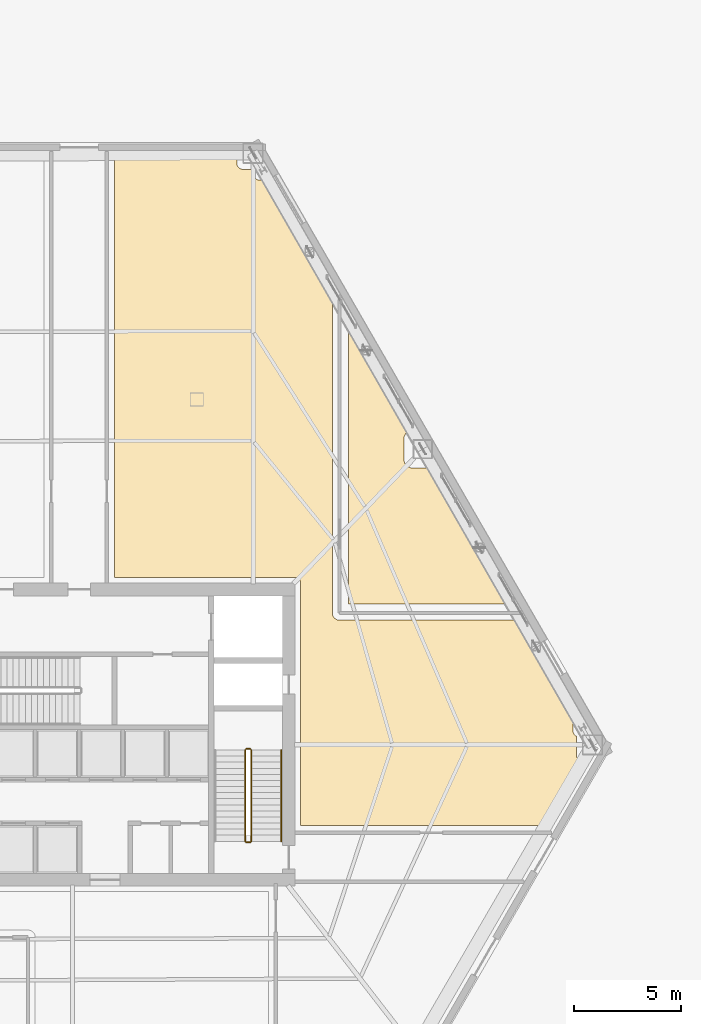
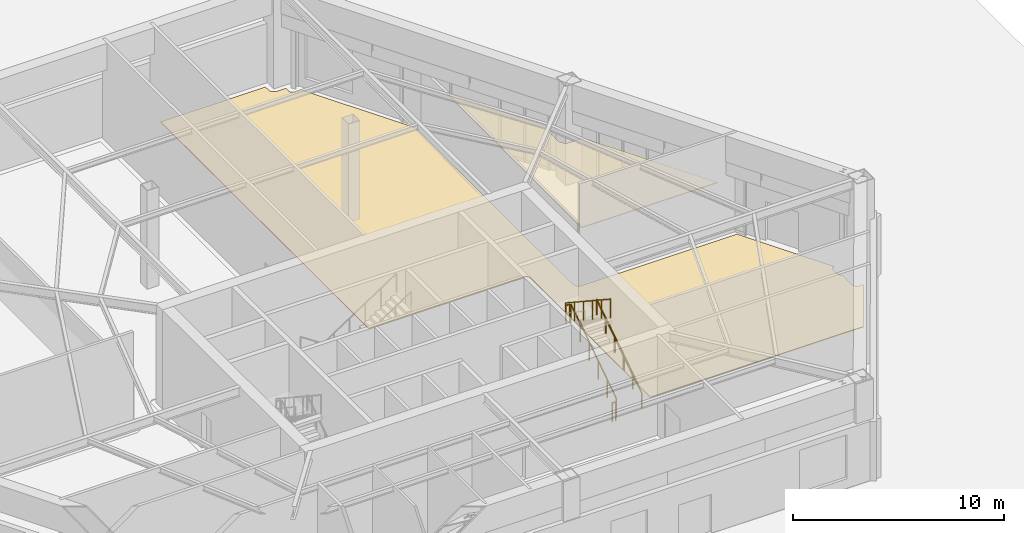
# One storey, part 19 of 20: 5 railings, 2 coverings.
"""IFC4 building model written with IfcOpenShell, lengths in metres."""

from ifc_helpers import new_model, si_unit, direction, frame, origin, origin_2d, place, context, subcontext, project, spatial, polyline, circle, outline, extrude, material, layer, layer_set, type_object, element, save


model = new_model("IFC4")

# Units and contexts
model_context = context("Model", 3, precision=1e-05, world=origin(), true_north=direction((0.0, 1.0)))
body_context = subcontext(model_context, "Body", "Model", "MODEL_VIEW")
ifc_project = project(units=[si_unit("LENGTHUNIT", "METRE"), si_unit("AREAUNIT", "SQUARE_METRE"), si_unit("VOLUMEUNIT", "CUBIC_METRE"), si_unit("PLANEANGLEUNIT", "RADIAN"), si_unit("MASSUNIT", "GRAM", prefix="KILO")], contexts=[model_context])

# Site, building, storey
site_placement = place(None, origin())
site = spatial("IfcSite", under=ifc_project, at=site_placement, CompositionType="ELEMENT")
building_placement = place(site_placement, origin())
building = spatial("IfcBuilding", under=site, at=building_placement, Name="Kavelnor Concourse Tower", CompositionType="ELEMENT")
storey_placement = place(building_placement, origin())
storey = spatial("IfcBuildingStorey", under=building, at=storey_placement, Name="L00", CompositionType="ELEMENT", Elevation=0.0)

# Coverings
ifc_material_1 = material(Name="Mineral fibre acoustic ceiling tile")
ifc_layer_1 = layer(ifc_material_1, 0.0400390625, Name="Mineral fibre acoustic ceiling tile")
ifc_layer_set_1 = layer_set([ifc_layer_1], Name="Mineral fibre acoustic ceiling tile")
covering_type_1 = type_object("IfcCoveringType", Name="COV-CEILING-ACOUSTIC", PredefinedType="CEILING", material=ifc_layer_set_1)
covering_1_placement = place(storey_placement, frame((0.0, 0.0, 2.75)))
element("IfcCovering", 1, at=covering_1_placement, inside=storey, type_object=covering_type_1, Name="L00 Suspended Acoustic Ceiling", PredefinedType="CEILING", context=body_context, shape_type="SweptSolid", body=[
    extrude(outline(polyline([(53.382568359375, 30.27685546875), (53.371337890625, 30.26806640625), (53.3662109375, 30.263916015625), (53.35302734375, 30.252685546875), (53.3515625, 30.251220703125), (53.339111328125, 30.239501953125), (53.334228515625, 30.234619140625), (53.322509765625, 30.22216796875), (53.321044921875, 30.220703125), (53.309814453125, 30.20751953125), (53.3056640625, 30.202392578125), (53.294921875, 30.188720703125), (53.293701171875, 30.187255859375), (53.283935546875, 30.173095703125), (53.280029296875, 30.16748046875), (53.27099609375, 30.15283203125), (53.27001953125, 30.1513671875), (53.261474609375, 30.13623046875), (53.25830078125, 30.130126953125), (53.25048828125, 30.114990234375), (53.24951171875, 30.113037109375), (53.24267578125, 30.097412109375), (53.239990234375, 30.091064453125), (53.23388671875, 30.074951171875), (53.233154296875, 30.0732421875), (53.227783203125, 30.056884765625), (53.225830078125, 30.05029296875), (53.22119140625, 30.03369140625), (53.220703125, 30.031982421875), (53.217041015625, 30.01513671875), (53.2158203125, 30.00830078125), (53.212646484375, 29.991455078125), (53.21240234375, 29.989501953125), (53.210205078125, 29.972412109375), (53.209716796875, 29.965576171875), (53.20849609375, 29.948486328125), (53.208251953125, 29.946533203125), (53.2080078125, 29.93798828125), (53.2080078125, 29.9345703125), (53.207763671875, 29.92578125), (53.207763671875, 29.02587890625), (53.2080078125, 29.017333984375), (53.2080078125, 29.013916015625), (53.208251953125, 29.00537109375), (53.20849609375, 29.00341796875), (53.209716796875, 28.986083984375), (53.210205078125, 28.9794921875), (53.21240234375, 28.96240234375), (53.212646484375, 28.96044921875), (53.2158203125, 28.943359375), (53.217041015625, 28.936767578125), (53.220703125, 28.919921875), (53.22119140625, 28.91796875), (53.225830078125, 28.901611328125), (53.227783203125, 28.89501953125), (53.233154296875, 28.878662109375), (53.23388671875, 28.876708984375), (53.239990234375, 28.860595703125), (53.24267578125, 28.8544921875), (53.24951171875, 28.838623046875), (53.25048828125, 28.8369140625), (53.25830078125, 28.821533203125), (53.261474609375, 28.8154296875), (53.27001953125, 28.800537109375), (53.27099609375, 28.798828125), (53.280029296875, 28.784423828125), (53.283935546875, 28.778564453125), (53.293701171875, 28.7646484375), (53.294921875, 28.762939453125), (53.3056640625, 28.74951171875), (53.309814453125, 28.744140625), (53.321044921875, 28.731201171875), (53.322509765625, 28.729736328125), (53.334228515625, 28.71728515625), (53.339111328125, 28.71240234375), (53.3515625, 28.70068359375), (53.35302734375, 28.69921875), (53.3662109375, 28.68798828125), (53.371337890625, 28.68359375), (53.385009765625, 28.673095703125), (53.386474609375, 28.671875), (53.400390625, 28.662109375), (53.40625, 28.658203125), (53.4208984375, 28.64892578125), (53.42236328125, 28.64794921875), (53.4375, 28.639404296875), (53.443603515625, 28.63623046875), (53.458740234375, 28.628662109375), (53.460693359375, 28.627685546875), (53.476318359375, 28.620849609375), (53.482666015625, 28.6181640625), (53.498779296875, 28.612060546875), (53.50048828125, 28.611328125), (53.516845703125, 28.60595703125), (53.5234375, 28.60400390625), (53.539794921875, 28.599365234375), (53.541748046875, 28.598876953125), (53.55859375, 28.59521484375), (53.565185546875, 28.59375), (53.582275390625, 28.5908203125), (53.584228515625, 28.590576171875), (53.601318359375, 28.58837890625), (53.608154296875, 28.587890625), (53.625244140625, 28.58642578125), (53.627197265625, 28.58642578125), (53.6357421875, 28.586181640625), (53.63916015625, 28.5859375), (53.647705078125, 28.5859375), (54.3583984375, 28.5859375), (58.033935546875, 22.219970703125), (50.6201171875, 22.219970703125), (50.6201171875, 35.0615234375), (53.382568359375, 30.27685546875)])), origin(), (0.0, 0.0, 1.0), 0.0400390625),
])
ifc_material_2 = material(Name="Honed bluestone and raised access floor finish", Category="masonry")
ifc_layer_2 = layer(ifc_material_2, 0.0400390625, Name="Honed bluestone and raised access floor finish")
ifc_layer_set_2 = layer_set([ifc_layer_2], Name="Honed bluestone and raised access floor finish")
covering_type_2 = type_object("IfcCoveringType", Name="COV-FLOOR-STONE", PredefinedType="FLOORING", material=ifc_layer_set_2)
covering_2_placement = place(storey_placement, frame((0.0, 0.0, 0.001953125)))
element("IfcCovering", 2, at=covering_2_placement, inside=storey, type_object=covering_type_2, Name="L00 Honed Bluestone Floor Finish", PredefinedType="FLOORING", context=body_context, shape_type="SweptSolid", body=[
    extrude(outline(polyline([(46.177490234375, 42.58349609375), (46.177490234375, 42.3544921875), (46.177490234375, 42.349609375), (46.177490234375, 42.3466796875), (46.177734375, 42.341796875), (46.177978515625, 42.33984375), (46.1787109375, 42.330078125), (46.17919921875, 42.32421875), (46.180419921875, 42.314453125), (46.1806640625, 42.3125), (46.182373046875, 42.302978515625), (46.18359375, 42.297119140625), (46.185791015625, 42.28759765625), (46.186279296875, 42.28564453125), (46.188720703125, 42.276123046875), (46.1904296875, 42.2705078125), (46.193603515625, 42.26123046875), (46.194091796875, 42.259521484375), (46.19775390625, 42.250244140625), (46.199951171875, 42.244873046875), (46.2041015625, 42.23583984375), (46.204833984375, 42.23388671875), (46.209228515625, 42.22509765625), (46.2119140625, 42.219970703125), (46.216796875, 42.21142578125), (46.218017578125, 42.209716796875), (46.22314453125, 42.201416015625), (46.226318359375, 42.196533203125), (46.23193359375, 42.188720703125), (46.233154296875, 42.18701171875), (46.2392578125, 42.17919921875), (46.242919921875, 42.1748046875), (46.24951171875, 42.167236328125), (46.250732421875, 42.166015625), (46.257568359375, 42.15869140625), (46.26171875, 42.154541015625), (46.268798828125, 42.147705078125), (46.270263671875, 42.146484375), (46.277587890625, 42.14013671875), (46.2822265625, 42.13623046875), (46.289794921875, 42.13037109375), (46.29150390625, 42.129150390625), (46.299560546875, 42.12353515625), (46.304443359375, 42.1201171875), (46.312744140625, 42.114990234375), (46.314453125, 42.114013671875), (46.322998046875, 42.109130859375), (46.328125, 42.106201171875), (46.3369140625, 42.101806640625), (46.338623046875, 42.10107421875), (46.34765625, 42.09716796875), (46.35302734375, 42.094970703125), (46.3623046875, 42.09130859375), (46.364013671875, 42.0908203125), (46.373291015625, 42.087646484375), (46.379150390625, 42.0859375), (46.388427734375, 42.083251953125), (46.390380859375, 42.082763671875), (46.39990234375, 42.08056640625), (46.40576171875, 42.07958984375), (46.415283203125, 42.077880859375), (46.41748046875, 42.077392578125), (46.427001953125, 42.076416015625), (46.43310546875, 42.07568359375), (46.44287109375, 42.074951171875), (46.444580078125, 42.074951171875), (46.44970703125, 42.07470703125), (46.45263671875, 42.07470703125), (46.45751953125, 42.07470703125), (46.755859375, 42.07470703125), (49.865478515625, 36.688720703125), (49.8642578125, 36.68212890625), (49.863037109375, 36.67431640625), (49.86181640625, 36.664794921875), (49.861328125, 36.658935546875), (49.860595703125, 36.6494140625), (49.8603515625, 36.6416015625), (49.860107421875, 36.63671875), (49.860107421875, 36.6337890625), (49.860107421875, 36.62890625), (49.860107421875, 21.800048828125), (49.860107421875, 21.795166015625), (49.860107421875, 21.7919921875), (49.8603515625, 21.787109375), (49.860595703125, 21.779296875), (49.861328125, 21.76953125), (49.862060546875, 21.763916015625), (49.86328125, 21.75390625), (49.864501953125, 21.74609375), (49.865966796875, 21.736572265625), (49.8671875, 21.730712890625), (49.869384765625, 21.72119140625), (49.87109375, 21.713623046875), (49.873779296875, 21.7041015625), (49.87548828125, 21.698486328125), (49.878662109375, 21.689208984375), (49.88134765625, 21.681884765625), (49.884765625, 21.672607421875), (49.88720703125, 21.667236328125), (49.89111328125, 21.658203125), (49.894287109375, 21.651123046875), (49.898681640625, 21.642333984375), (49.901611328125, 21.63720703125), (49.906494140625, 21.628662109375), (49.910400390625, 21.621826171875), (49.915771484375, 21.613525390625), (49.9189453125, 21.608642578125), (49.924560546875, 21.6005859375), (49.92919921875, 21.594482421875), (49.935302734375, 21.586669921875), (49.939208984375, 21.58203125), (49.945556640625, 21.57470703125), (49.95068359375, 21.56884765625), (49.95751953125, 21.561767578125), (49.961669921875, 21.5576171875), (49.96875, 21.55078125), (49.974609375, 21.54541015625), (49.982177734375, 21.5390625), (49.986572265625, 21.535400390625), (49.994384765625, 21.529296875), (50.000732421875, 21.524658203125), (50.0087890625, 21.51904296875), (50.013671875, 21.515625), (50.02197265625, 21.510498046875), (50.028564453125, 21.50634765625), (50.037109375, 21.501708984375), (50.04248046875, 21.498779296875), (50.051025390625, 21.494384765625), (50.05810546875, 21.4912109375), (50.067138671875, 21.487060546875), (50.072509765625, 21.48486328125), (50.081787109375, 21.481201171875), (50.089111328125, 21.478515625), (50.098388671875, 21.4755859375), (50.10400390625, 21.473876953125), (50.113525390625, 21.47119140625), (50.12109375, 21.46923828125), (50.130859375, 21.46728515625), (50.13671875, 21.466064453125), (50.146240234375, 21.46435546875), (50.154052734375, 21.463134765625), (50.163818359375, 21.4619140625), (50.169677734375, 21.46142578125), (50.179443359375, 21.460693359375), (50.187255859375, 21.460205078125), (50.192138671875, 21.460205078125), (50.195068359375, 21.460205078125), (50.199951171875, 21.4599609375), (58.6572265625, 21.4599609375), (61.31494140625, 16.857421875), (61.313720703125, 16.85693359375), (61.308349609375, 16.854736328125), (61.29931640625, 16.8505859375), (61.297607421875, 16.849853515625), (61.288818359375, 16.845458984375), (61.28369140625, 16.8427734375), (61.275146484375, 16.837890625), (61.2734375, 16.8369140625), (61.26513671875, 16.83154296875), (61.26025390625, 16.828369140625), (61.252197265625, 16.82275390625), (61.25048828125, 16.821533203125), (61.242919921875, 16.8154296875), (61.23828125, 16.811767578125), (61.23095703125, 16.805419921875), (61.2294921875, 16.803955078125), (61.222412109375, 16.797119140625), (61.21826171875, 16.793212890625), (61.21142578125, 16.785888671875), (61.210205078125, 16.784423828125), (61.20361328125, 16.777099609375), (61.199951171875, 16.7724609375), (61.19384765625, 16.764892578125), (61.192626953125, 16.76318359375), (61.18701171875, 16.755126953125), (61.183837890625, 16.750244140625), (61.1787109375, 16.741943359375), (61.177490234375, 16.740234375), (61.172607421875, 16.731689453125), (61.169921875, 16.7265625), (61.16552734375, 16.7177734375), (61.164794921875, 16.716064453125), (61.16064453125, 16.70703125), (61.158447265625, 16.70166015625), (61.15478515625, 16.6923828125), (61.154296875, 16.690673828125), (61.151123046875, 16.681396484375), (61.1494140625, 16.675537109375), (61.14697265625, 16.666259765625), (61.146484375, 16.664306640625), (61.144287109375, 16.65478515625), (61.14306640625, 16.64892578125), (61.141357421875, 16.639404296875), (61.14111328125, 16.63720703125), (61.139892578125, 16.627685546875), (61.139404296875, 16.62158203125), (61.138671875, 16.61181640625), (61.138427734375, 16.610107421875), (61.13818359375, 16.60498046875), (61.13818359375, 16.60205078125), (61.13818359375, 16.59716796875), (61.13818359375, 16.277099609375), (61.13818359375, 16.272216796875), (61.13818359375, 16.269287109375), (61.138427734375, 16.264404296875), (61.138671875, 16.262451171875), (61.139404296875, 16.252685546875), (61.139892578125, 16.246826171875), (61.14111328125, 16.237060546875), (61.141357421875, 16.235107421875), (61.14306640625, 16.2255859375), (61.144287109375, 16.2197265625), (61.146484375, 16.210205078125), (61.14697265625, 16.208251953125), (61.1494140625, 16.19873046875), (61.151123046875, 16.193115234375), (61.154296875, 16.183837890625), (61.15478515625, 16.181884765625), (61.158447265625, 16.1728515625), (61.16064453125, 16.16748046875), (61.164794921875, 16.158447265625), (61.16552734375, 16.156494140625), (61.169921875, 16.147705078125), (61.172607421875, 16.142578125), (61.177490234375, 16.134033203125), (61.1787109375, 16.13232421875), (61.183837890625, 16.1240234375), (61.18701171875, 16.119140625), (61.192626953125, 16.111083984375), (61.19384765625, 16.109619140625), (61.199951171875, 16.101806640625), (61.20361328125, 16.097412109375), (61.210205078125, 16.08984375), (61.21142578125, 16.08837890625), (61.21826171875, 16.081298828125), (61.222412109375, 16.0771484375), (61.2294921875, 16.0703125), (61.23095703125, 16.069091796875), (61.23828125, 16.062744140625), (61.242919921875, 16.058837890625), (61.25048828125, 16.052978515625), (61.252197265625, 16.0517578125), (61.26025390625, 16.046142578125), (61.26513671875, 16.042724609375), (61.2734375, 16.03759765625), (61.275146484375, 16.03662109375), (61.28369140625, 16.03173828125), (61.288818359375, 16.02880859375), (61.2958984375, 16.025390625), (61.2958984375, 15.13818359375), (61.2958984375, 15.13330078125), (61.2958984375, 15.13037109375), (61.296142578125, 15.12548828125), (61.29638671875, 15.12353515625), (61.297119140625, 15.11376953125), (61.297607421875, 15.10791015625), (61.298828125, 15.09814453125), (61.299072265625, 15.09619140625), (61.30078125, 15.08642578125), (61.302001953125, 15.080810546875), (61.30419921875, 15.071044921875), (61.3046875, 15.069091796875), (61.30712890625, 15.059814453125), (61.308837890625, 15.05419921875), (61.31201171875, 15.044921875), (61.3125, 15.04296875), (61.316162109375, 15.03369140625), (61.318359375, 15.0283203125), (61.322509765625, 15.019287109375), (61.3232421875, 15.017578125), (61.32763671875, 15.0087890625), (61.330322265625, 15.003662109375), (61.335205078125, 14.9951171875), (61.336181640625, 14.993408203125), (61.341552734375, 14.985107421875), (61.3447265625, 14.980224609375), (61.350341796875, 14.97216796875), (61.3515625, 14.970703125), (61.357666015625, 14.962890625), (61.361328125, 14.958251953125), (61.367919921875, 14.950927734375), (61.369140625, 14.949462890625), (61.3759765625, 14.9423828125), (61.3798828125, 14.938232421875), (61.38720703125, 14.931396484375), (61.388671875, 14.93017578125), (61.39599609375, 14.923583984375), (61.400634765625, 14.919921875), (61.408203125, 14.913818359375), (61.409912109375, 14.91259765625), (61.41796875, 14.906982421875), (61.4228515625, 14.90380859375), (61.43115234375, 14.898681640625), (61.432861328125, 14.897705078125), (61.44140625, 14.892578125), (61.446533203125, 14.889892578125), (61.455322265625, 14.885498046875), (61.45703125, 14.884765625), (61.466064453125, 14.880615234375), (61.471435546875, 14.87841796875), (61.480712890625, 14.875), (61.482421875, 14.874267578125), (61.49169921875, 14.87109375), (61.49755859375, 14.869384765625), (61.5068359375, 14.866943359375), (61.5087890625, 14.866455078125), (61.518310546875, 14.8642578125), (61.524169921875, 14.863037109375), (61.53369140625, 14.861328125), (61.535888671875, 14.861083984375), (61.54541015625, 14.85986328125), (61.551513671875, 14.859375), (61.561279296875, 14.858642578125), (61.56298828125, 14.8583984375), (61.568115234375, 14.8583984375), (61.571044921875, 14.8583984375), (61.575927734375, 14.858154296875), (61.76904296875, 14.858154296875), (60.0322265625, 11.85009765625), (48.3798828125, 11.85009765625), (48.3798828125, 23.199951171875), (48.3798828125, 23.209716796875), (48.37939453125, 23.2158203125), (48.37744140625, 23.235107421875), (48.376708984375, 23.2412109375), (48.372802734375, 23.26025390625), (48.371337890625, 23.26611328125), (48.36572265625, 23.284912109375), (48.36376953125, 23.290283203125), (48.356201171875, 23.30859375), (48.353759765625, 23.313720703125), (48.344482421875, 23.3310546875), (48.34130859375, 23.336181640625), (48.33056640625, 23.3525390625), (48.326904296875, 23.357177734375), (48.314697265625, 23.372314453125), (48.310546875, 23.376708984375), (48.296630859375, 23.390625), (48.29248046875, 23.39453125), (48.277099609375, 23.406982421875), (48.2724609375, 23.410400390625), (48.256103515625, 23.42138671875), (48.251220703125, 23.424560546875), (48.23388671875, 23.43359375), (48.228515625, 23.436279296875), (48.210205078125, 23.443603515625), (48.204833984375, 23.44580078125), (48.18603515625, 23.451416015625), (48.180419921875, 23.452880859375), (48.1611328125, 23.456787109375), (48.1552734375, 23.45751953125), (48.1357421875, 23.45947265625), (48.1298828125, 23.459716796875), (48.1201171875, 23.4599609375), (39.64990234375, 23.4599609375), (39.64990234375, 43.155517578125), (45.389892578125, 43.155517578125), (45.389892578125, 42.863525390625), (45.389892578125, 42.858642578125), (45.389892578125, 42.855712890625), (45.39013671875, 42.850830078125), (45.39013671875, 42.848876953125), (45.390869140625, 42.839111328125), (45.3916015625, 42.833251953125), (45.392578125, 42.823486328125), (45.39306640625, 42.821533203125), (45.394775390625, 42.81201171875), (45.395751953125, 42.80615234375), (45.39794921875, 42.79638671875), (45.3984375, 42.794677734375), (45.401123046875, 42.78515625), (45.40283203125, 42.779541015625), (45.406005859375, 42.770263671875), (45.406494140625, 42.768310546875), (45.41015625, 42.75927734375), (45.412353515625, 42.75390625), (45.416259765625, 42.744873046875), (45.4169921875, 42.742919921875), (45.42138671875, 42.734130859375), (45.42431640625, 42.72900390625), (45.42919921875, 42.720458984375), (45.43017578125, 42.71875), (45.435302734375, 42.71044921875), (45.438720703125, 42.70556640625), (45.4443359375, 42.697509765625), (45.445556640625, 42.696044921875), (45.451416015625, 42.688232421875), (45.455322265625, 42.68359375), (45.461669921875, 42.67626953125), (45.462890625, 42.6748046875), (45.4697265625, 42.667724609375), (45.473876953125, 42.66357421875), (45.481201171875, 42.65673828125), (45.482421875, 42.655517578125), (45.489990234375, 42.649169921875), (45.494384765625, 42.645263671875), (45.502197265625, 42.639404296875), (45.50390625, 42.63818359375), (45.51171875, 42.632568359375), (45.5166015625, 42.629150390625), (45.52490234375, 42.6240234375), (45.526611328125, 42.623046875), (45.53515625, 42.6181640625), (45.540283203125, 42.615234375), (45.54931640625, 42.61083984375), (45.551025390625, 42.610107421875), (45.56005859375, 42.606201171875), (45.5654296875, 42.60400390625), (45.57470703125, 42.600341796875), (45.576416015625, 42.599609375), (45.585693359375, 42.5966796875), (45.59130859375, 42.594970703125), (45.600830078125, 42.59228515625), (45.602783203125, 42.591796875), (45.6123046875, 42.589599609375), (45.6181640625, 42.58837890625), (45.627685546875, 42.5869140625), (45.629638671875, 42.58642578125), (45.639404296875, 42.585205078125), (45.645263671875, 42.584716796875), (45.655029296875, 42.583984375), (45.656982421875, 42.583984375), (45.661865234375, 42.583740234375), (45.664794921875, 42.583740234375), (45.669921875, 42.58349609375), (46.177490234375, 42.58349609375)])), origin(), (0.0, 0.0, 1.0), 0.0400390625),
])

# Railings
ifc_material_3 = material(Name="Steel Grade 350", Category="steel")
railing_type_1 = type_object("IfcRailingType", Name="RLG-GUARD-1100", PredefinedType="GUARDRAIL", material=ifc_material_3)
railing_1_placement = place(storey_placement, frame((46.070068359375, 11.10009765625, 0.1875)))
element("IfcRailing", 3, at=railing_1_placement, inside=storey, type_object=railing_type_1, Name="L00 ST2 stair guard 1", PredefinedType="GUARDRAIL", context=body_context, shape_type="SweptSolid", body=[
    extrude(circle(Radius=0.02392578125, at=origin_2d()), frame((0.0, 0.0, 1.076171875), z_axis=(0.0, 0.835411317272, 0.549625264133), x_axis=(-1.0, 0.0, 0.0)), (0.0, 0.0, 1.0), 5.1171875),
    extrude(circle(Radius=0.02099609375, at=origin_2d()), origin(), (0.0, 0.0, 1.0), 1.052001953125),
    extrude(circle(Radius=0.02099609375, at=origin_2d()), frame((0.0, 0.85498046875, 0.5625)), (0.0, 0.0, 1.0), 1.052001953125),
    extrude(circle(Radius=0.02099609375, at=origin_2d()), frame((0.0, 1.7099609375, 1.125)), (0.0, 0.0, 1.0), 1.052001953125),
    extrude(circle(Radius=0.02099609375, at=origin_2d()), frame((0.0, 2.56494140625, 1.6875)), (0.0, 0.0, 1.0), 1.052001953125),
    extrude(circle(Radius=0.02099609375, at=origin_2d()), frame((0.0, 3.419921875, 2.25)), (0.0, 0.0, 1.0), 1.052001953125),
    extrude(circle(Radius=0.02099609375, at=origin_2d()), frame((0.0, 4.27490234375, 2.8125)), (0.0, 0.0, 1.0), 1.052001953125),
])
railing_2_placement = place(storey_placement, frame((46.02001953125, 15.425048828125, 3.0)))
element("IfcRailing", 4, at=railing_2_placement, inside=storey, type_object=railing_type_1, Name="L00 ST2 stair guard 2", PredefinedType="GUARDRAIL", context=body_context, shape_type="SweptSolid", body=[
    extrude(circle(Radius=0.02392578125, at=origin_2d()), frame((0.0, 0.0, 1.076171875), z_axis=(-1.0, 0.0, 0.0), x_axis=(0.0, -1.0, 0.0)), (0.0, 0.0, 1.0), 0.199951171875),
    extrude(circle(Radius=0.02099609375, at=origin_2d()), origin(), (0.0, 0.0, 1.0), 1.052001953125),
    extrude(circle(Radius=0.02099609375, at=origin_2d()), frame((-0.199951171875, 0.0, 0.0)), (0.0, 0.0, 1.0), 1.052001953125),
])
railing_3_placement = place(storey_placement, frame((45.77001953125, 15.375, 3.1875)))
element("IfcRailing", 5, at=railing_3_placement, inside=storey, type_object=railing_type_1, Name="L00 ST2 stair guard 3", PredefinedType="GUARDRAIL", context=body_context, shape_type="SweptSolid", body=[
    extrude(circle(Radius=0.02392578125, at=origin_2d()), frame((0.0, 0.0, 1.076171875), z_axis=(0.0, -0.835411317272, 0.549625264133), x_axis=(1.0, 0.0, 0.0)), (0.0, 0.0, 1.0), 5.1171875),
    extrude(circle(Radius=0.02099609375, at=origin_2d()), origin(), (0.0, 0.0, 1.0), 1.052001953125),
    extrude(circle(Radius=0.02099609375, at=origin_2d()), frame((0.0, -0.85498046875, 0.5625)), (0.0, 0.0, 1.0), 1.052001953125),
    extrude(circle(Radius=0.02099609375, at=origin_2d()), frame((0.0, -1.7099609375, 1.125)), (0.0, 0.0, 1.0), 1.052001953125),
    extrude(circle(Radius=0.02099609375, at=origin_2d()), frame((0.0, -2.56494140625, 1.6875)), (0.0, 0.0, 1.0), 1.052001953125),
    extrude(circle(Radius=0.02099609375, at=origin_2d()), frame((0.0, -3.419921875, 2.25)), (0.0, 0.0, 1.0), 1.052001953125),
    extrude(circle(Radius=0.02099609375, at=origin_2d()), frame((0.0, -4.27490234375, 2.8125)), (0.0, 0.0, 1.0), 1.052001953125),
])
railing_4_placement = place(storey_placement, frame((46.02001953125, 11.050048828125, 0.0)))
element("IfcRailing", 6, at=railing_4_placement, inside=storey, type_object=railing_type_1, Name="L00 ST2 stair guard 4", PredefinedType="GUARDRAIL", context=body_context, shape_type="SweptSolid", body=[
    extrude(circle(Radius=0.02392578125, at=origin_2d()), frame((0.0, 0.0, 1.076171875), z_axis=(-1.0, 0.0, 0.0), x_axis=(0.0, -1.0, 0.0)), (0.0, 0.0, 1.0), 0.199951171875),
    extrude(circle(Radius=0.02099609375, at=origin_2d()), origin(), (0.0, 0.0, 1.0), 1.052001953125),
    extrude(circle(Radius=0.02099609375, at=origin_2d()), frame((-0.199951171875, 0.0, 0.0)), (0.0, 0.0, 1.0), 1.052001953125),
])
railing_type_2 = type_object("IfcRailingType", Name="RLG-HANDRAIL-900", PredefinedType="HANDRAIL", material=ifc_material_3)
railing_5_placement = place(storey_placement, frame((47.469970703125, 11.10009765625, 0.1875)))
element("IfcRailing", 7, at=railing_5_placement, inside=storey, type_object=railing_type_2, Name="L00 ST2 stair handrail 1", PredefinedType="HANDRAIL", context=body_context, shape_type="SweptSolid", body=[
    extrude(circle(Radius=0.02392578125, at=origin_2d()), frame((0.0, 0.0, 0.8759765625), z_axis=(0.0, 0.835411317272, 0.549625264133), x_axis=(-1.0, 0.0, 0.0)), (0.0, 0.0, 1.0), 5.1171875),
    extrude(circle(Radius=0.02099609375, at=origin_2d()), origin(), (0.0, 0.0, 1.0), 0.851806640625),
    extrude(circle(Radius=0.02099609375, at=origin_2d()), frame((0.0, 0.85498046875, 0.5625)), (0.0, 0.0, 1.0), 0.851806640625),
    extrude(circle(Radius=0.02099609375, at=origin_2d()), frame((0.0, 1.7099609375, 1.125)), (0.0, 0.0, 1.0), 0.851806640625),
    extrude(circle(Radius=0.02099609375, at=origin_2d()), frame((0.0, 2.56494140625, 1.6875)), (0.0, 0.0, 1.0), 0.851806640625),
    extrude(circle(Radius=0.02099609375, at=origin_2d()), frame((0.0, 3.419921875, 2.25)), (0.0, 0.0, 1.0), 0.851806640625),
    extrude(circle(Radius=0.02099609375, at=origin_2d()), frame((0.0, 4.27490234375, 2.8125)), (0.0, 0.0, 1.0), 0.851806640625),
])

save(model, "model.ifc")
